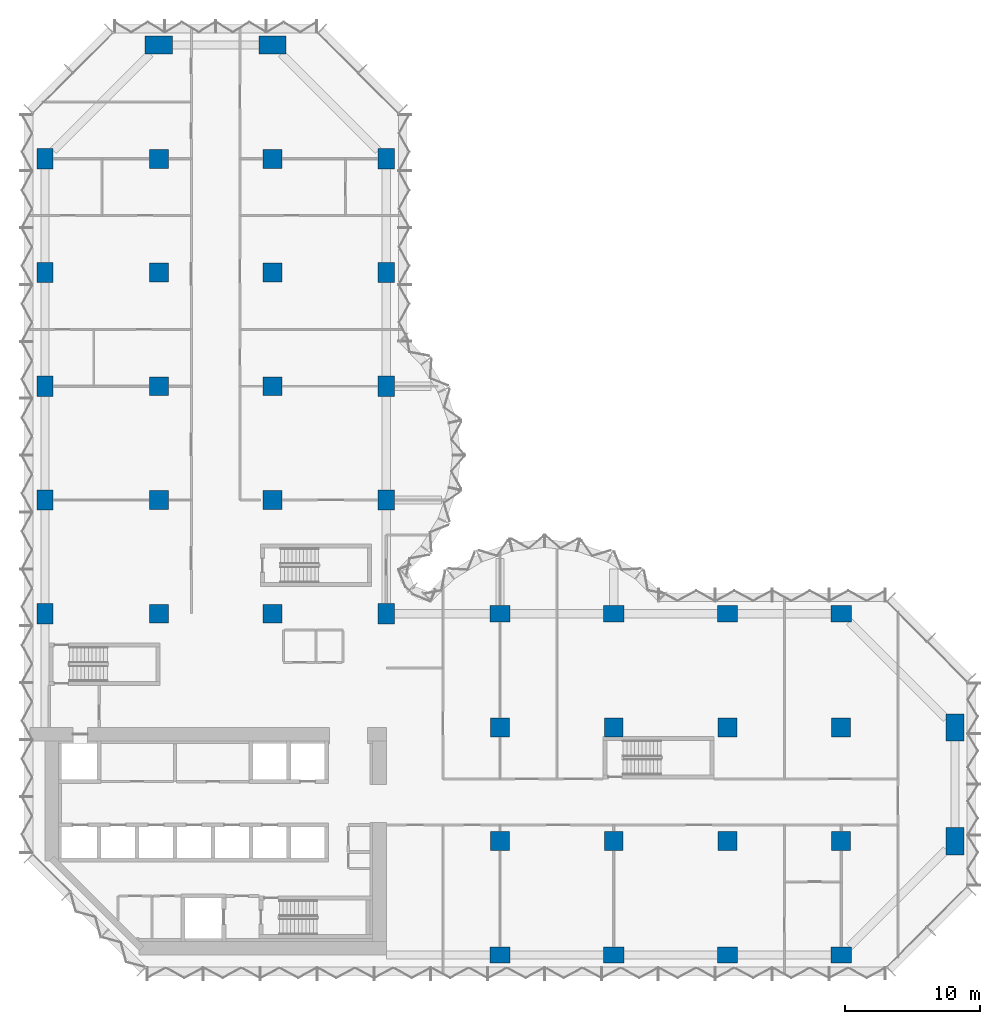
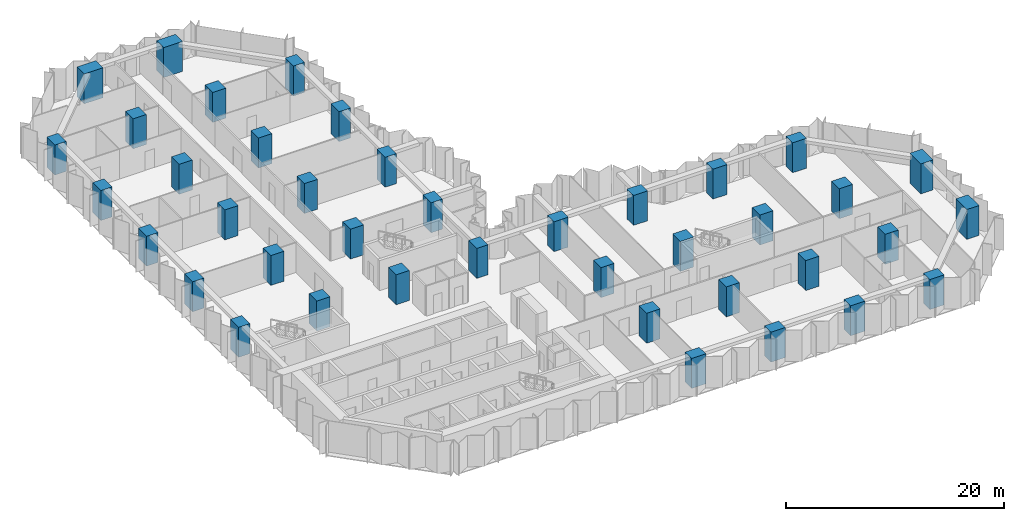
# One storey, part 1 of 15: 40 columns.
"""IFC4 building model written with IfcOpenShell, lengths in metres."""

from ifc_helpers import new_model, si_unit, direction, frame, origin, origin_2d, place, context, subcontext, project, spatial, rectangle, extrude, material, material_profile, profile_set, type_object, element, save


model = new_model("IFC4")

# Units and contexts
model_context = context("Model", 3, precision=1e-05, world=origin(), true_north=direction((0.0, 1.0)))
body_context = subcontext(model_context, "Body", "Model", "MODEL_VIEW")
ifc_project = project(units=[si_unit("LENGTHUNIT", "METRE"), si_unit("AREAUNIT", "SQUARE_METRE"), si_unit("VOLUMEUNIT", "CUBIC_METRE"), si_unit("PLANEANGLEUNIT", "RADIAN"), si_unit("MASSUNIT", "GRAM", prefix="KILO")], contexts=[model_context])

# Site, building, storey
site_placement = place(None, origin())
site = spatial("IfcSite", under=ifc_project, at=site_placement, CompositionType="ELEMENT")
building_placement = place(site_placement, origin())
building = spatial("IfcBuilding", under=site, at=building_placement, Name="Brevane Broadcast Tower", CompositionType="ELEMENT")
storey_placement = place(building_placement, frame((0.0, 0.0, 58.10009765625)))
storey = spatial("IfcBuildingStorey", under=building, at=storey_placement, Name="L12", CompositionType="ELEMENT", Elevation=58.10009765625)

# Columns
ifc_material = material(Name="Concrete C80/95", Category="concrete")
ifc_material_profile_1 = material_profile(ifc_material, rectangle(XDim=1.199951171875, YDim=1.5, at=origin_2d()), Name="RC 1200x1500")
ifc_profile_set_1 = profile_set([ifc_material_profile_1], Name="Concrete C80/95")
column_type_1 = type_object("IfcColumnType", Name="RC COLUMN EDGE 1200x1500 C80/95", PredefinedType="COLUMN", material=ifc_profile_set_1)
for number, where, z_axis, x_axis, name in (
    (1, (0.0, 25.199951171875, 0.0), (0.0, 0.0, 1.0), (1.0, 0.0, 0.0), "CE5 1/D"),
    (2, (0.0, 33.60009765625, 0.0), (0.0, 0.0, 1.0), (1.0, 0.0, 0.0), "CE5 1/E"),
    (3, (0.0, 42.0, 0.0), (0.0, 0.0, 1.0), (1.0, 0.0, 0.0), "CE5 1/F"),
    (4, (0.0, 50.39990234375, 0.0), (0.0, 0.0, 1.0), (1.0, 0.0, 0.0), "CE5 1/G"),
    (5, (0.0, 58.800048828125, 0.0), (0.0, 0.0, 1.0), (1.0, 0.0, 0.0), "CE5 1/H"),
    (6, (25.199951171875, 25.199951171875, 0.0), (0.0, 0.0, 1.0), (1.0, 0.0, 0.0), "CE5 4/D"),
    (7, (25.199951171875, 33.60009765625, 0.0), (0.0, 0.0, 1.0), (1.0, 0.0, 0.0), "CE5 4/E"),
    (8, (25.199951171875, 42.0, 0.0), (0.0, 0.0, 1.0), (1.0, 0.0, 0.0), "CE5 4/F"),
    (9, (25.199951171875, 50.39990234375, 0.0), (0.0, 0.0, 1.0), (1.0, 0.0, 0.0), "CE5 4/G"),
    (10, (25.199951171875, 58.800048828125, 0.0), (0.0, 0.0, 1.0), (1.0, 0.0, 0.0), "CE5 4/H"),
    (11, (33.60009765625, 0.0, 0.0), (0.0, 0.0, 1.0), (0.0, 1.0, 0.0), "CE5 5/A"),
    (12, (33.60009765625, 25.199951171875, 0.0), (0.0, 0.0, 1.0), (0.0, 1.0, 0.0), "CE5 5/D"),
    (13, (42.0, 0.0, 0.0), (0.0, 0.0, 1.0), (0.0, 1.0, 0.0), "CE5 6/A"),
    (14, (42.0, 25.199951171875, 0.0), (0.0, 0.0, 1.0), (0.0, 1.0, 0.0), "CE5 6/D"),
    (15, (50.39990234375, 0.0, 0.0), (0.0, 0.0, 1.0), (0.0, 1.0, 0.0), "CE5 7/A"),
    (16, (50.39990234375, 25.199951171875, 0.0), (0.0, 0.0, 1.0), (0.0, 1.0, 0.0), "CE5 7/D"),
    (17, (58.800048828125, 0.0, 0.0), (0.0, 0.0, 1.0), (0.0, 1.0, 0.0), "CE5 8/A"),
    (18, (58.800048828125, 25.199951171875, 0.0), (0.0, 0.0, 1.0), (0.0, 1.0, 0.0), "CE5 8/D"),
):
    element("IfcColumn", number, at=place(storey_placement, frame(where, z_axis=z_axis, x_axis=x_axis)), inside=storey, type_object=column_type_1, Name=name, PredefinedType="COLUMN", context=body_context, shape_type="SweptSolid", body=[
        extrude(rectangle(XDim=1.199951171875, YDim=1.5, at=origin_2d()), origin(), (0.0, 0.0, 1.0), 3.349853515625),
    ])
ifc_material_profile_2 = material_profile(ifc_material, rectangle(XDim=1.39990234375, YDim=1.39990234375, at=origin_2d()), Name="RC 1400x1400")
ifc_profile_set_2 = profile_set([ifc_material_profile_2], Name="Concrete C80/95")
column_type_2 = type_object("IfcColumnType", Name="RC COLUMN INTERIOR 1400x1400 C80/95", PredefinedType="COLUMN", material=ifc_profile_set_2)
for number, where, z_axis, x_axis, name in (
    (19, (8.39990234375, 25.199951171875, 0.0), (0.0, 0.0, 1.0), (1.0, 0.0, 0.0), "CI6 2/D"),
    (20, (8.39990234375, 33.60009765625, 0.0), (0.0, 0.0, 1.0), (1.0, 0.0, 0.0), "CI6 2/E"),
    (21, (8.39990234375, 42.0, 0.0), (0.0, 0.0, 1.0), (1.0, 0.0, 0.0), "CI6 2/F"),
    (22, (8.39990234375, 50.39990234375, 0.0), (0.0, 0.0, 1.0), (1.0, 0.0, 0.0), "CI6 2/G"),
    (23, (8.39990234375, 58.800048828125, 0.0), (0.0, 0.0, 1.0), (1.0, 0.0, 0.0), "CI6 2/H"),
    (24, (16.800048828125, 25.199951171875, 0.0), (0.0, 0.0, 1.0), (1.0, 0.0, 0.0), "CI6 3/D"),
    (25, (16.800048828125, 33.60009765625, 0.0), (0.0, 0.0, 1.0), (1.0, 0.0, 0.0), "CI6 3/E"),
    (26, (16.800048828125, 42.0, 0.0), (0.0, 0.0, 1.0), (1.0, 0.0, 0.0), "CI6 3/F"),
    (27, (16.800048828125, 50.39990234375, 0.0), (0.0, 0.0, 1.0), (1.0, 0.0, 0.0), "CI6 3/G"),
    (28, (16.800048828125, 58.800048828125, 0.0), (0.0, 0.0, 1.0), (1.0, 0.0, 0.0), "CI6 3/H"),
    (29, (33.60009765625, 8.39990234375, 0.0), (0.0, 0.0, 1.0), (1.0, 0.0, 0.0), "CI6 5/B"),
    (30, (33.60009765625, 16.800048828125, 0.0), (0.0, 0.0, 1.0), (1.0, 0.0, 0.0), "CI6 5/C"),
    (31, (42.0, 8.39990234375, 0.0), (0.0, 0.0, 1.0), (1.0, 0.0, 0.0), "CI6 6/B"),
    (32, (42.0, 16.800048828125, 0.0), (0.0, 0.0, 1.0), (1.0, 0.0, 0.0), "CI6 6/C"),
    (33, (50.39990234375, 8.39990234375, 0.0), (0.0, 0.0, 1.0), (1.0, 0.0, 0.0), "CI6 7/B"),
    (34, (50.39990234375, 16.800048828125, 0.0), (0.0, 0.0, 1.0), (1.0, 0.0, 0.0), "CI6 7/C"),
    (35, (58.800048828125, 8.39990234375, 0.0), (0.0, 0.0, 1.0), (1.0, 0.0, 0.0), "CI6 8/B"),
    (36, (58.800048828125, 16.800048828125, 0.0), (0.0, 0.0, 1.0), (1.0, 0.0, 0.0), "CI6 8/C"),
):
    element("IfcColumn", number, at=place(storey_placement, frame(where, z_axis=z_axis, x_axis=x_axis)), inside=storey, type_object=column_type_2, Name=name, PredefinedType="COLUMN", context=body_context, shape_type="SweptSolid", body=[
        extrude(rectangle(XDim=1.39990234375, YDim=1.39990234375, at=origin_2d()), origin(), (0.0, 0.0, 1.0), 3.349853515625),
    ])
ifc_material_profile_3 = material_profile(ifc_material, rectangle(XDim=1.300048828125, YDim=2.0, at=origin_2d()), Name="RC 1300x2000")
ifc_profile_set_3 = profile_set([ifc_material_profile_3], Name="Concrete C80/95")
column_type_3 = type_object("IfcColumnType", Name="RC COLUMN WING-END 1300x2000 C80/95", PredefinedType="COLUMN", material=ifc_profile_set_3)
for number, where, z_axis, x_axis, name in (
    (37, (8.39990234375, 67.199951171875, 0.0), (0.0, 0.0, 1.0), (0.0, 1.0, 0.0), "CW7 2/I"),
    (38, (16.800048828125, 67.199951171875, 0.0), (0.0, 0.0, 1.0), (0.0, 1.0, 0.0), "CW7 3/I"),
    (39, (67.199951171875, 8.39990234375, 0.0), (0.0, 0.0, 1.0), (1.0, 0.0, 0.0), "CW7 9/B"),
    (40, (67.199951171875, 16.800048828125, 0.0), (0.0, 0.0, 1.0), (1.0, 0.0, 0.0), "CW7 9/C"),
):
    element("IfcColumn", number, at=place(storey_placement, frame(where, z_axis=z_axis, x_axis=x_axis)), inside=storey, type_object=column_type_3, Name=name, PredefinedType="COLUMN", context=body_context, shape_type="SweptSolid", body=[
        extrude(rectangle(XDim=1.300048828125, YDim=2.0, at=origin_2d()), origin(), (0.0, 0.0, 1.0), 3.349853515625),
    ])

save(model, "model.ifc")
